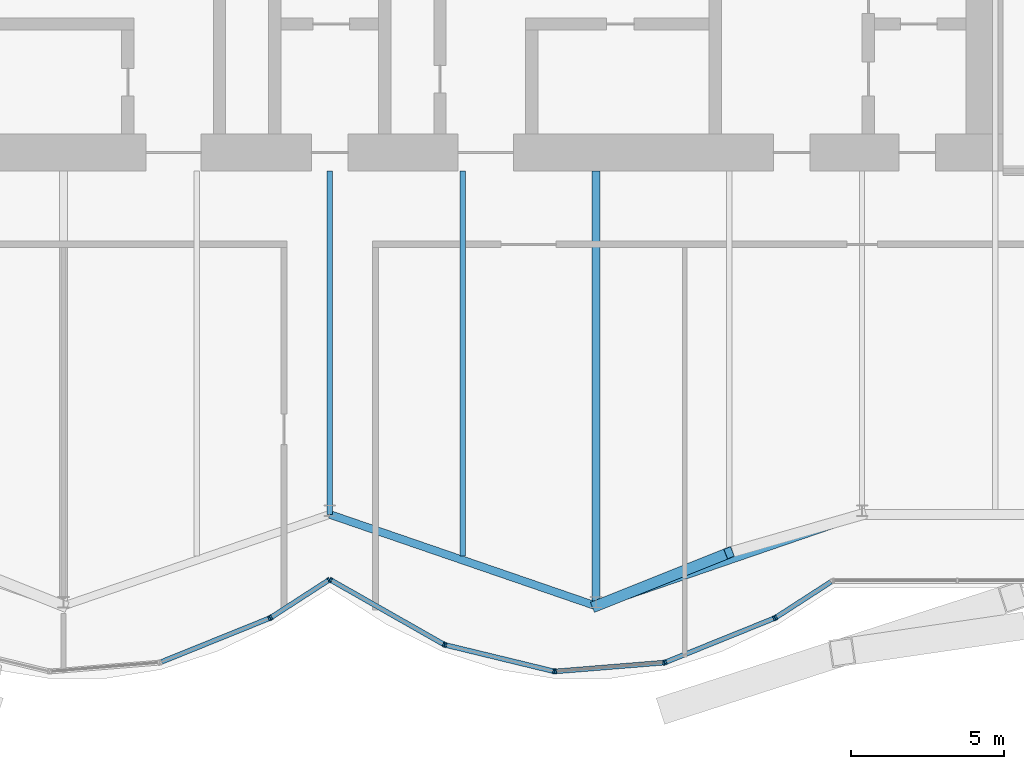
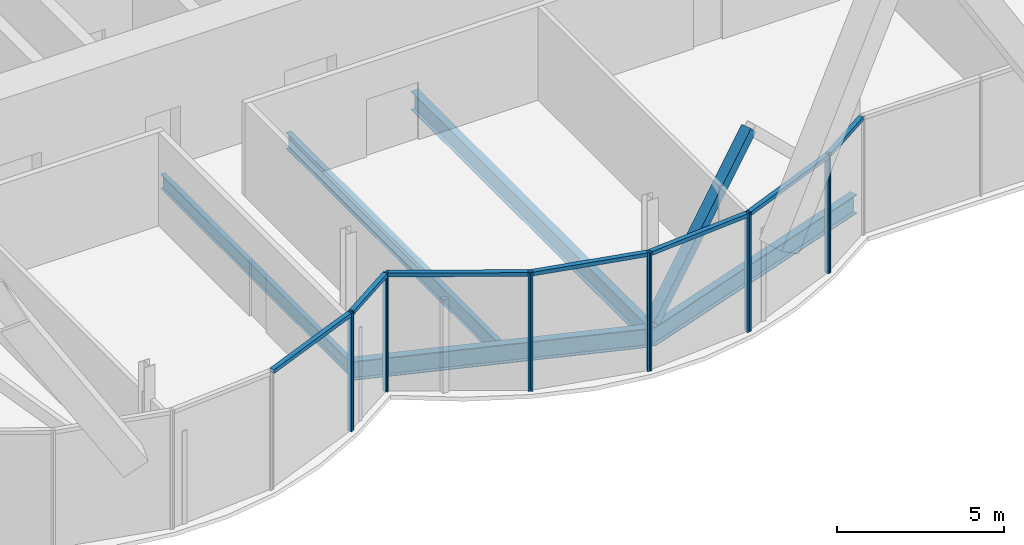
# One storey, part 9 of 20: 20 members, 5 beams, 2 elements without a shape of their own.
"""IFC4 building model written with IfcOpenShell, lengths in metres."""

import ifcopenshell
import ifcopenshell.guid

model = None  # the IFC model being written
_history = None  # IfcOwnerHistory: only IFC2X3 demands one
_inside = {}  # id of a spatial element -> (the spatial element, [elements in it])
_under = {}  # id of a project, library or spatial element -> (it, [spatial elements below it])
_declared = {}  # id of a project -> (the project, [libraries it declares])
_typed = {}  # id of a type object -> (the type object, [elements of that type])
_made_of = {}  # id of a material, layer set ... -> (it, [elements and type objects made of it])


def new_model(schema):
    """Start an empty IFC model of exactly this schema.

    Asked for "IFC4X3", IfcOpenShell would pick the latest addendum, in which some entities
    have other attributes; the version numbers below select the first issue.
    IFC2X3 requires an IfcOwnerHistory on every rooted entity: one is made here for all.
    """
    global model, _history
    if schema == "IFC4X3":
        model = ifcopenshell.file(schema_version=(4, 3, 0, 0))
    else:
        model = ifcopenshell.file(schema=schema)
    _inside.clear()
    _under.clear()
    _declared.clear()
    _typed.clear()
    _made_of.clear()
    _history = None
    if model.schema == "IFC2X3":
        org = make("IfcOrganization", Name="unknown")
        user = make(
            "IfcPersonAndOrganization",
            ThePerson=make("IfcPerson", FamilyName="unknown"),
            TheOrganization=org,
        )
        app = make(
            "IfcApplication",
            ApplicationDeveloper=org,
            Version="unknown",
            ApplicationFullName="unknown",
            ApplicationIdentifier="unknown",
        )
        _history = make(
            "IfcOwnerHistory",
            OwningUser=user,
            OwningApplication=app,
            ChangeAction="ADDED",
            CreationDate=0,
        )
    return model


def make(cls, **values):
    """One entity of the class cls with the attributes given. An attribute that is None is left unset."""
    return model.create_entity(
        cls, **{name: value for name, value in values.items() if value is not None}
    )


def rooted(cls, **values):
    """An entity with a GlobalId (a new one), such as an element, a storey or a relation."""
    return make(cls, GlobalId=ifcopenshell.guid.new(), OwnerHistory=_history, **values)


def si_unit(unit_type, name, prefix=None):
    """IfcSIUnit, for example si_unit("LENGTHUNIT", "METRE", prefix="MILLI")."""
    return make("IfcSIUnit", UnitType=unit_type, Prefix=prefix, Name=name)


def assignment(units):
    """IfcUnitAssignment: the units of a project."""
    return None if units is None else make("IfcUnitAssignment", Units=units)


def point(xyz):
    """IfcCartesianPoint."""
    return None if xyz is None else make("IfcCartesianPoint", Coordinates=xyz)


def direction(xyz):
    """IfcDirection."""
    return None if xyz is None else make("IfcDirection", DirectionRatios=xyz)


def frame(location, z_axis=None, x_axis=None):
    """IfcAxis2Placement3D, a coordinate frame: its origin and axes. An axis left out is left unset."""
    return make(
        "IfcAxis2Placement3D",
        Location=point(location),
        Axis=direction(z_axis),
        RefDirection=direction(x_axis),
    )


def frame_2d(location, x_axis=None):
    """IfcAxis2Placement2D, a coordinate frame in the plane: its origin and x axis."""
    return make(
        "IfcAxis2Placement2D", Location=point(location), RefDirection=direction(x_axis)
    )


def origin():
    """The frame at (0, 0, 0) with its axes left unset."""
    return frame((0.0, 0.0, 0.0))


def origin_2d():
    """The frame at (0, 0) in the plane with its x axis left unset."""
    return frame_2d((0.0, 0.0))


def place(relative_to, where):
    """IfcLocalPlacement: puts the frame where relative to a parent placement (None: the world)."""
    return make(
        "IfcLocalPlacement", PlacementRelTo=relative_to, RelativePlacement=where
    )


def context(
    kind, dimensions, precision=None, world=None, true_north=None, identifier=None
):
    """IfcGeometricRepresentationContext, for example the 3D "Model" context."""
    return make(
        "IfcGeometricRepresentationContext",
        ContextIdentifier=identifier,
        ContextType=kind,
        CoordinateSpaceDimension=dimensions,
        Precision=precision,
        WorldCoordinateSystem=world,
        TrueNorth=true_north,
    )


def subcontext(parent, identifier, kind, view, scale=None):
    """IfcGeometricRepresentationSubContext, for example "Body" below "Model"."""
    return make(
        "IfcGeometricRepresentationSubContext",
        ContextIdentifier=identifier,
        ContextType=kind,
        ParentContext=parent,
        TargetScale=scale,
        TargetView=view,
    )


def project(units=None, contexts=None):
    """IfcProject with its units and contexts."""
    return rooted(
        "IfcProject",
        Name="project",
        RepresentationContexts=contexts,
        UnitsInContext=assignment(units),
    )


def spatial(cls, under=None, at=None, **own):
    """A site, building, storey or space (cls), placed at a placement, below another one or the project."""
    s = rooted(cls, ObjectPlacement=at, **own)
    if under is not None:
        _under.setdefault(under.id(), (under, []))[1].append(s)
    return s


def profile(cls, at=None, kind="AREA", **sizes):
    """A parametric profile (cls). Its sizes go by their IFC names, for example OverallWidth=200.0."""
    return make(cls, ProfileType=kind, Position=at, **sizes)


def rectangle(**sizes):
    """IfcRectangleProfileDef."""
    return profile("IfcRectangleProfileDef", **sizes)


def hollow_rectangle(**sizes):
    """IfcRectangleHollowProfileDef."""
    return profile("IfcRectangleHollowProfileDef", **sizes)


def i_section(**sizes):
    """IfcIShapeProfileDef."""
    return profile("IfcIShapeProfileDef", **sizes)


def extrude(swept, where, along, depth):
    """IfcExtrudedAreaSolid: the profile swept, set in the frame where, extruded along a direction by depth."""
    return make(
        "IfcExtrudedAreaSolid",
        SweptArea=swept,
        Position=where,
        ExtrudedDirection=direction(along),
        Depth=depth,
    )


def shape(context_of_items, identifier, shape_type, items):
    """IfcShapeRepresentation: the items that make up one representation, for example the "Body"."""
    return make(
        "IfcShapeRepresentation",
        ContextOfItems=context_of_items,
        RepresentationIdentifier=identifier,
        RepresentationType=shape_type,
        Items=items,
    )


def material(Name=None, Category=None):
    """IfcMaterial."""
    return make("IfcMaterial", Name=Name, Category=Category)


def material_profile(
    of_material, cross_section, Name=None, Category=None, Priority=None
):
    """IfcMaterialProfile: a cross section and its material."""
    return make(
        "IfcMaterialProfile",
        Name=Name,
        Material=of_material,
        Profile=cross_section,
        Priority=Priority,
        Category=Category,
    )


def profile_set(profiles, Name=None, composite=None):
    """IfcMaterialProfileSet."""
    return make(
        "IfcMaterialProfileSet",
        Name=Name,
        MaterialProfiles=profiles,
        CompositeProfile=composite,
    )


def made_of(thing, what):
    """Note that an element or type object is made of a material, layer set ...; save() writes the relation."""
    if what is not None:
        _made_of.setdefault(what.id(), (what, []))[1].append(thing)
    return thing


def type_object(cls, material=None, **own):
    """A type object (cls), such as IfcWallType, which elements share."""
    return made_of(rooted(cls, **own), material)


def element(
    cls,
    number,
    at=None,
    inside=None,
    cuts=None,
    type_object=None,
    material=None,
    context=None,
    identifier="Body",
    shape_type=None,
    held_by="IfcProductDefinitionShape",
    body=None,
    shapes=None,
    **own,
):
    """One element of the class cls, such as IfcWall. Its Tag is "e" and its number.

    at: its placement. inside: the storey or other place that contains it. cuts: it is an
    opening in that element (IfcRelVoidsElement). A single representation is given by context,
    identifier, shape_type and body (its items); several are given by shapes. held_by: the class
    of the entity that holds the representations. save() writes the other relations.
    """
    e = rooted(cls, Tag="e%d" % number, ObjectPlacement=at, **own)
    if body is not None:
        shapes = [shape(context, identifier, shape_type, body)]
    if shapes is not None:
        e.Representation = make(held_by, Representations=shapes)
    if inside is not None:
        _inside.setdefault(inside.id(), (inside, []))[1].append(e)
    if cuts is not None:
        rooted(
            "IfcRelVoidsElement", RelatingBuildingElement=cuts, RelatedOpeningElement=e
        )
    if type_object is not None:
        _typed.setdefault(type_object.id(), (type_object, []))[1].append(e)
    return made_of(e, material)


def aggregate(whole, parts):
    """IfcRelAggregates: a whole, such as a stair, and the parts it consists of."""
    return rooted("IfcRelAggregates", RelatingObject=whole, RelatedObjects=parts)


def save(model, path):
    """Write the relations noted so far, then the file.

    IfcRelAggregates (storeys below a building ...), IfcRelContainedInSpatialStructure (elements
    in a storey), IfcRelDefinesByType, IfcRelAssociatesMaterial and IfcRelDeclares: one each for
    every whole, place, type object, material and project.
    """
    for whole, parts in _under.values():
        aggregate(whole, parts)
    for where, things in _inside.values():
        rooted(
            "IfcRelContainedInSpatialStructure",
            RelatedElements=things,
            RelatingStructure=where,
        )
    for kind, things in _typed.values():
        rooted("IfcRelDefinesByType", RelatedObjects=things, RelatingType=kind)
    for what, things in _made_of.values():
        rooted("IfcRelAssociatesMaterial", RelatedObjects=things, RelatingMaterial=what)
    for by, libraries in _declared.values():
        rooted("IfcRelDeclares", RelatingContext=by, RelatedDefinitions=libraries)
    model.write(path)


model = new_model("IFC4")

# Units and contexts
model_context = context("Model", 3, precision=1e-05, world=origin(), true_north=direction((0.0, 1.0)))
body_context = subcontext(model_context, "Body", "Model", "MODEL_VIEW")
ifc_project = project(units=[si_unit("LENGTHUNIT", "METRE"), si_unit("AREAUNIT", "SQUARE_METRE"), si_unit("VOLUMEUNIT", "CUBIC_METRE"), si_unit("PLANEANGLEUNIT", "RADIAN"), si_unit("MASSUNIT", "GRAM", prefix="KILO")], contexts=[model_context])

# Site, building, storey
site_placement = place(None, origin())
site = spatial("IfcSite", under=ifc_project, at=site_placement, CompositionType="ELEMENT")
building_placement = place(site_placement, origin())
building = spatial("IfcBuilding", under=site, at=building_placement, Name="Bicima Exchange Tower", CompositionType="ELEMENT")
storey_placement = place(building_placement, frame((0.0, 0.0, 306.5)))
storey = spatial("IfcBuildingStorey", under=building, at=storey_placement, Name="L69", CompositionType="ELEMENT", Elevation=306.5)

# Beams
ifc_material_1 = material(Name="Steel ASTM A992 Gr 50", Category="steel")
ifc_material_profile_1 = material_profile(ifc_material_1, i_section(OverallWidth=0.165771484375, OverallDepth=0.5283203125, WebThickness=0.009765625, FlangeThickness=0.013671875, at=origin_2d()))
ifc_profile_set_1 = profile_set([ifc_material_profile_1], Name="Steel ASTM A992 Gr 50")
beam_type_1 = type_object("IfcBeamType", Name="Floor beam W21x50", PredefinedType="JOIST", material=ifc_profile_set_1)
beam_1_placement = place(storey_placement, frame((0.0, -13.0, -0.414306640625), z_axis=(0.0, -1.0, 0.0), x_axis=(1.0, 0.0, 0.0)))
element("IfcBeam", 1, at=beam_1_placement, inside=storey, type_object=beam_type_1, Name="Floor beam", PredefinedType="JOIST", context=body_context, shape_type="SweptSolid", body=[
    extrude(i_section(OverallWidth=0.165771484375, OverallDepth=0.5283203125, WebThickness=0.009765625, FlangeThickness=0.013671875, at=origin_2d()), origin(), (0.0, 0.0, 1.0), 11.22802734375),
])
ifc_material_profile_2 = material_profile(ifc_material_1, i_section(OverallWidth=0.177978515625, OverallDepth=0.599365234375, WebThickness=0.010009765625, FlangeThickness=0.012939453125, at=origin_2d()))
ifc_profile_set_2 = profile_set([ifc_material_profile_2], Name="Steel ASTM A992 Gr 50")
beam_type_2 = type_object("IfcBeamType", Name="Floor beam W24x55", PredefinedType="JOIST", material=ifc_profile_set_2)
beam_2_placement = place(storey_placement, frame((4.35009765625, -13.0, -0.44970703125), z_axis=(0.0, -1.0, 0.0), x_axis=(1.0, 0.0, 0.0)))
element("IfcBeam", 2, at=beam_2_placement, inside=storey, type_object=beam_type_2, Name="Floor beam", PredefinedType="JOIST", context=body_context, shape_type="SweptSolid", body=[
    extrude(i_section(OverallWidth=0.177978515625, OverallDepth=0.599365234375, WebThickness=0.010009765625, FlangeThickness=0.012939453125, at=origin_2d()), origin(), (0.0, 0.0, 1.0), 12.587890625),
])
ifc_material_profile_3 = material_profile(ifc_material_1, i_section(OverallWidth=0.25390625, OverallDepth=0.67822265625, WebThickness=0.01171875, FlangeThickness=0.016357421875, at=origin_2d()))
ifc_profile_set_3 = profile_set([ifc_material_profile_3], Name="Steel ASTM A992 Gr 50")
beam_type_3 = type_object("IfcBeamType", Name="Floor beam W27x84", PredefinedType="JOIST", material=ifc_profile_set_3)
beam_3_placement = place(storey_placement, frame((8.699951171875, -13.0, -0.489013671875), z_axis=(0.0, -1.0, 0.0), x_axis=(1.0, 0.0, 0.0)))
element("IfcBeam", 3, at=beam_3_placement, inside=storey, type_object=beam_type_3, Name="Floor beam", PredefinedType="JOIST", context=body_context, shape_type="SweptSolid", body=[
    extrude(i_section(OverallWidth=0.25390625, OverallDepth=0.67822265625, WebThickness=0.01171875, FlangeThickness=0.016357421875, at=origin_2d()), origin(), (0.0, 0.0, 1.0), 14.08349609375),
])
ifc_material_profile_4 = material_profile(ifc_material_1, i_section(OverallWidth=0.256591796875, OverallDepth=0.693359375, WebThickness=0.014404296875, FlangeThickness=0.023681640625, at=origin_2d()))
ifc_profile_set_4 = profile_set([ifc_material_profile_4], Name="Steel ASTM A992 Gr 50")
beam_type_4 = type_object("IfcBeamType", Name="Front girder W27x114", PredefinedType="BEAM", material=ifc_profile_set_4)
for number, where, z_axis, x_axis, name in (
    (4, (0.0, -24.22802734375, -0.49658203125), (0.945674616091, -0.32511462668, 0.0), (0.32511462668, 0.945674616091, 0.0), "Front girder"),
    (5, (8.699951171875, -27.218994140625, -0.49658203125), (0.945674616091, 0.32511462668, 0.0), (-0.32511462668, 0.945674616091, 0.0), "Front girder"),
):
    element("IfcBeam", number, at=place(storey_placement, frame(where, z_axis=z_axis, x_axis=x_axis)), inside=storey, type_object=beam_type_4, Name=name, PredefinedType="BEAM", context=body_context, shape_type="SweptSolid", body=[
        extrude(i_section(OverallWidth=0.256591796875, OverallDepth=0.693359375, WebThickness=0.014404296875, FlangeThickness=0.023681640625, at=origin_2d()), origin(), (0.0, 0.0, 1.0), 9.19970703125),
    ])

# Curtain wall, members
ifc_material_2 = material(Name="Anodised bronze aluminium", Category="aluminium")
curtain_wall_type = type_object("IfcCurtainWallType", Name="Front glass wall", PredefinedType="NOTDEFINED", material=ifc_material_2)
curtain_wall_1_placement = place(storey_placement, origin())
curtain_wall_1 = element("IfcCurtainWall", 6, at=curtain_wall_1_placement, inside=storey, type_object=curtain_wall_type, Name="Front glass wall L69 run 6", PredefinedType="NOTDEFINED")
ifc_material_profile_5 = material_profile(ifc_material_2, rectangle(XDim=0.159912109375, YDim=0.06005859375, at=origin_2d()))
ifc_profile_set_5 = profile_set([ifc_material_profile_5], Name="Anodised bronze aluminium")
member_type_1 = type_object("IfcMemberType", Name="Front glass wall mullion 60 x 160", PredefinedType="MULLION", material=ifc_profile_set_5)
member_1_placement = place(storey_placement, frame((-1.97412109375, -27.62353515625, 0.0), z_axis=(0.0, 0.0, 1.0), x_axis=(-0.374705304, 0.92714396679, 0.0)))
member_1 = element("IfcMember", 7, at=member_1_placement, type_object=member_type_1, Name="Front glass wall mullion 2", PredefinedType="MULLION", context=body_context, shape_type="SweptSolid", body=[
    extrude(rectangle(XDim=0.159912109375, YDim=0.06005859375, at=origin_2d()), origin(), (0.0, 0.0, 1.0), 4.35009765625),
])
member_2_placement = place(storey_placement, frame((-1.921142578125, -27.59619140625, 0.0), z_axis=(0.0, 0.0, 1.0), x_axis=(-0.542897457326, 0.839798994301, 0.0)))
member_2 = element("IfcMember", 8, at=member_2_placement, type_object=member_type_1, Name="Front glass wall mullion 1", PredefinedType="MULLION", context=body_context, shape_type="SweptSolid", body=[
    extrude(rectangle(XDim=0.159912109375, YDim=0.06005859375, at=origin_2d()), origin(), (0.0, 0.0, 1.0), 4.35009765625),
])
member_3_placement = place(storey_placement, frame((-0.025146484375, -26.370361328125, 0.0), z_axis=(0.0, 0.0, 1.0), x_axis=(-0.542897457326, 0.839798994301, 0.0)))
member_3 = element("IfcMember", 9, at=member_3_placement, type_object=member_type_1, Name="Front glass wall mullion 2", PredefinedType="MULLION", context=body_context, shape_type="SweptSolid", body=[
    extrude(rectangle(XDim=0.159912109375, YDim=0.06005859375, at=origin_2d()), origin(), (0.0, 0.0, 1.0), 4.35009765625),
])

curtain_wall_2_placement = place(storey_placement, origin())
curtain_wall_2 = element("IfcCurtainWall", 10, at=curtain_wall_2_placement, inside=storey, type_object=curtain_wall_type, Name="Front glass wall L69 run 11", PredefinedType="NOTDEFINED")
member_4_placement = place(storey_placement, frame((0.026123046875, -26.368896484375, 0.0), z_axis=(0.0, 0.0, 1.0), x_axis=(0.494330311331, 0.869274147378, 0.0)))
member_4 = element("IfcMember", 11, at=member_4_placement, type_object=member_type_1, Name="Front glass wall mullion 1", PredefinedType="MULLION", context=body_context, shape_type="SweptSolid", body=[
    extrude(rectangle(XDim=0.159912109375, YDim=0.06005859375, at=origin_2d()), origin(), (0.0, 0.0, 1.0), 4.35009765625),
])
member_5_placement = place(storey_placement, frame((3.7265625, -28.473388671875, 0.0), z_axis=(0.0, 0.0, 1.0), x_axis=(0.494330311331, 0.869274147378, 0.0)))
member_5 = element("IfcMember", 12, at=member_5_placement, type_object=member_type_1, Name="Front glass wall mullion 2", PredefinedType="MULLION", context=body_context, shape_type="SweptSolid", body=[
    extrude(rectangle(XDim=0.159912109375, YDim=0.06005859375, at=origin_2d()), origin(), (0.0, 0.0, 1.0), 4.35009765625),
])
member_6_placement = place(storey_placement, frame((3.781982421875, -28.495361328125, 0.0), z_axis=(0.0, 0.0, 1.0), x_axis=(0.235681529503, 0.971830343553, 0.0)))
member_6 = element("IfcMember", 13, at=member_6_placement, type_object=member_type_1, Name="Front glass wall mullion 1", PredefinedType="MULLION", context=body_context, shape_type="SweptSolid", body=[
    extrude(rectangle(XDim=0.159912109375, YDim=0.06005859375, at=origin_2d()), origin(), (0.0, 0.0, 1.0), 4.35009765625),
])
member_7_placement = place(storey_placement, frame((7.322509765625, -29.35400390625, 0.0), z_axis=(0.0, 0.0, 1.0), x_axis=(0.235681529503, 0.971830343553, 0.0)))
member_7 = element("IfcMember", 14, at=member_7_placement, type_object=member_type_1, Name="Front glass wall mullion 2", PredefinedType="MULLION", context=body_context, shape_type="SweptSolid", body=[
    extrude(rectangle(XDim=0.159912109375, YDim=0.06005859375, at=origin_2d()), origin(), (0.0, 0.0, 1.0), 4.35009765625),
])
member_8_placement = place(storey_placement, frame((7.381591796875, -29.358642578125, 0.0), z_axis=(0.0, 0.0, 1.0), x_axis=(-0.080588612633, 0.99674744821, 0.0)))
member_8 = element("IfcMember", 15, at=member_8_placement, type_object=member_type_1, Name="Front glass wall mullion 1", PredefinedType="MULLION", context=body_context, shape_type="SweptSolid", body=[
    extrude(rectangle(XDim=0.159912109375, YDim=0.06005859375, at=origin_2d()), origin(), (0.0, 0.0, 1.0), 4.35009765625),
])
member_9_placement = place(storey_placement, frame((10.916015625, -29.07275390625, 0.0), z_axis=(0.0, 0.0, 1.0), x_axis=(-0.080588612633, 0.99674744821, 0.0)))
member_9 = element("IfcMember", 16, at=member_9_placement, type_object=member_type_1, Name="Front glass wall mullion 2", PredefinedType="MULLION", context=body_context, shape_type="SweptSolid", body=[
    extrude(rectangle(XDim=0.159912109375, YDim=0.06005859375, at=origin_2d()), origin(), (0.0, 0.0, 1.0), 4.35009765625),
])
member_10_placement = place(storey_placement, frame((10.973876953125, -29.05908203125, 0.0), z_axis=(0.0, 0.0, 1.0), x_axis=(-0.374705304, 0.92714396679, 0.0)))
member_10 = element("IfcMember", 17, at=member_10_placement, type_object=member_type_1, Name="Front glass wall mullion 1", PredefinedType="MULLION", context=body_context, shape_type="SweptSolid", body=[
    extrude(rectangle(XDim=0.159912109375, YDim=0.06005859375, at=origin_2d()), origin(), (0.0, 0.0, 1.0), 4.35009765625),
])
member_11_placement = place(storey_placement, frame((14.52587890625, -27.62353515625, 0.0), z_axis=(0.0, 0.0, 1.0), x_axis=(-0.374705304, 0.92714396679, 0.0)))
member_11 = element("IfcMember", 18, at=member_11_placement, type_object=member_type_1, Name="Front glass wall mullion 2", PredefinedType="MULLION", context=body_context, shape_type="SweptSolid", body=[
    extrude(rectangle(XDim=0.159912109375, YDim=0.06005859375, at=origin_2d()), origin(), (0.0, 0.0, 1.0), 4.35009765625),
])
member_12_placement = place(storey_placement, frame((14.578857421875, -27.59619140625, 0.0), z_axis=(0.0, 0.0, 1.0), x_axis=(-0.542909183079, 0.839791413941, 0.0)))
member_12 = element("IfcMember", 19, at=member_12_placement, type_object=member_type_1, Name="Front glass wall mullion 1", PredefinedType="MULLION", context=body_context, shape_type="SweptSolid", body=[
    extrude(rectangle(XDim=0.159912109375, YDim=0.06005859375, at=origin_2d()), origin(), (0.0, 0.0, 1.0), 4.35009765625),
])

# Member
ifc_material_profile_6 = material_profile(ifc_material_2, rectangle(XDim=0.159912109375, YDim=0.139892578125, at=origin_2d()))
ifc_profile_set_6 = profile_set([ifc_material_profile_6], Name="Anodised bronze aluminium")
member_type_2 = type_object("IfcMemberType", Name="Front glass wall transom 140 x 160", PredefinedType="USERDEFINED", material=ifc_profile_set_6)
member_13_placement = place(storey_placement, frame((-5.498291015625, -29.0478515625, 4.280029296875), z_axis=(0.927140215882, 0.374714584842, 0.0), x_axis=(-0.374714584842, 0.927140215882, 0.0)))
member_13 = element("IfcMember", 20, at=member_13_placement, type_object=member_type_2, Name="Front glass wall transom 1.1", ObjectType="TRANSOM", PredefinedType="USERDEFINED", context=body_context, shape_type="SweptSolid", body=[
    extrude(rectangle(XDim=0.159912109375, YDim=0.139892578125, at=origin_2d()), origin(), (0.0, 0.0, 1.0), 3.77099609375),
])

member_14_placement = place(storey_placement, frame((-1.89599609375, -27.579833984375, 4.280029296875), z_axis=(0.839811483481, 0.542878137536, 0.0), x_axis=(-0.542878137536, 0.839811483481, 0.0)))
member_14 = element("IfcMember", 21, at=member_14_placement, type_object=member_type_2, Name="Front glass wall transom 1.1", ObjectType="TRANSOM", PredefinedType="USERDEFINED", context=body_context, shape_type="SweptSolid", body=[
    extrude(rectangle(XDim=0.159912109375, YDim=0.139892578125, at=origin_2d()), origin(), (0.0, 0.0, 1.0), 2.19775390625),
])

aggregate(curtain_wall_1, [member_1, member_13, member_2, member_3, member_14])

member_15_placement = place(storey_placement, frame((0.05224609375, -26.3837890625, 4.280029296875), z_axis=(0.869265121745, -0.494346182466, 0.0), x_axis=(0.494346182466, 0.869265121745, 0.0)))
member_15 = element("IfcMember", 22, at=member_15_placement, type_object=member_type_2, Name="Front glass wall transom 1.1", ObjectType="TRANSOM", PredefinedType="USERDEFINED", context=body_context, shape_type="SweptSolid", body=[
    extrude(rectangle(XDim=0.159912109375, YDim=0.139892578125, at=origin_2d()), origin(), (0.0, 0.0, 1.0), 4.19677734375),
])

member_16_placement = place(storey_placement, frame((3.81103515625, -28.502197265625, 4.280029296875), z_axis=(0.971817951661, -0.235732621477, 0.0), x_axis=(0.235732621477, 0.971817951661, 0.0)))
member_16 = element("IfcMember", 23, at=member_16_placement, type_object=member_type_2, Name="Front glass wall transom 1.1", ObjectType="TRANSOM", PredefinedType="USERDEFINED", context=body_context, shape_type="SweptSolid", body=[
    extrude(rectangle(XDim=0.159912109375, YDim=0.139892578125, at=origin_2d()), origin(), (0.0, 0.0, 1.0), 3.58349609375),
])

member_17_placement = place(storey_placement, frame((7.41162109375, -29.356201171875, 4.280029296875), z_axis=(0.9967456465, 0.080610893699, 0.0), x_axis=(-0.080610893699, 0.9967456465, 0.0)))
member_17 = element("IfcMember", 24, at=member_17_placement, type_object=member_type_2, Name="Front glass wall transom 1.1", ObjectType="TRANSOM", PredefinedType="USERDEFINED", context=body_context, shape_type="SweptSolid", body=[
    extrude(rectangle(XDim=0.159912109375, YDim=0.139892578125, at=origin_2d()), origin(), (0.0, 0.0, 1.0), 3.48583984375),
])

member_18_placement = place(storey_placement, frame((11.001708984375, -29.0478515625, 4.280029296875), z_axis=(0.927140215882, 0.374714584842, 0.0), x_axis=(-0.374714584842, 0.927140215882, 0.0)))
member_18 = element("IfcMember", 25, at=member_18_placement, type_object=member_type_2, Name="Front glass wall transom 1.1", ObjectType="TRANSOM", PredefinedType="USERDEFINED", context=body_context, shape_type="SweptSolid", body=[
    extrude(rectangle(XDim=0.159912109375, YDim=0.139892578125, at=origin_2d()), origin(), (0.0, 0.0, 1.0), 3.77099609375),
])

member_19_placement = place(storey_placement, frame((14.60400390625, -27.579833984375, 4.280029296875), z_axis=(0.839792890287, 0.542906899407, 0.0), x_axis=(-0.542906899407, 0.839792890287, 0.0)))
member_19 = element("IfcMember", 26, at=member_19_placement, type_object=member_type_2, Name="Front glass wall transom 1.1", ObjectType="TRANSOM", PredefinedType="USERDEFINED", context=body_context, shape_type="SweptSolid", body=[
    extrude(rectangle(XDim=0.159912109375, YDim=0.139892578125, at=origin_2d()), origin(), (0.0, 0.0, 1.0), 2.11669921875),
])

aggregate(curtain_wall_2, [member_4, member_5, member_15, member_6, member_7, member_16, member_8, member_9, member_17, member_10, member_11, member_18, member_12, member_19])

ifc_material_3 = material(Name="Steel ASTM A572 Gr 50", Category="steel")
ifc_material_profile_7 = material_profile(ifc_material_3, hollow_rectangle(XDim=0.355712890625, YDim=0.355712890625, WallThickness=0.01171875, at=origin_2d()))
ifc_profile_set_7 = profile_set([ifc_material_profile_7], Name="Steel ASTM A572 Gr 50")
member_type_3 = type_object("IfcMemberType", Name="Mega brace HSS14x14x1/2", PredefinedType="BRACE", material=ifc_profile_set_7)
member_20_placement = place(storey_placement, frame((8.699951171875, -27.218994140625, 0.0), z_axis=(0.669648363719, 0.26777666357, 0.692724135148), x_axis=(-0.371291842786, 0.928516218211, 0.0)))
element("IfcMember", 27, at=member_20_placement, inside=storey, type_object=member_type_3, Name="Mega brace front", PredefinedType="BRACE", context=body_context, shape_type="SweptSolid", body=[
    extrude(hollow_rectangle(XDim=0.355712890625, YDim=0.355712890625, WallThickness=0.01171875, at=origin_2d()), origin(), (0.0, 0.0, 1.0), 6.49609375),
])

save(model, "model.ifc")
